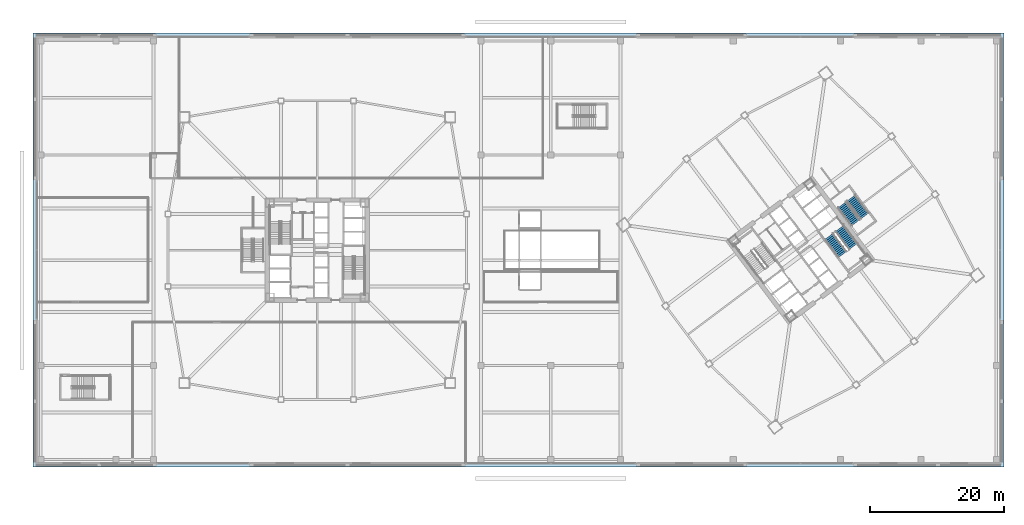
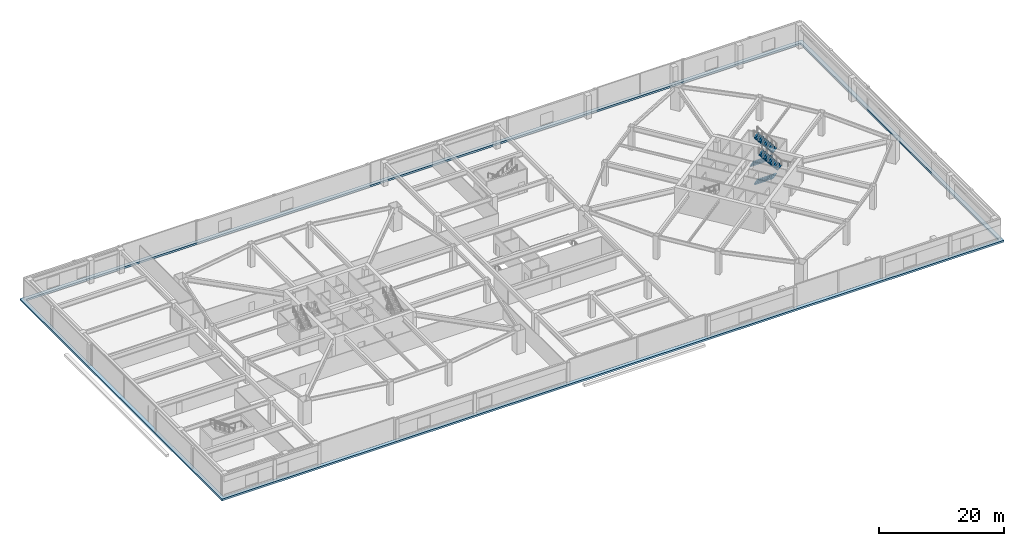
# One storey, part 35 of 44: 4 stair flights, 1 roof, 2 elements without a shape of their own.
"""IFC4 building model written with IfcOpenShell, lengths in metres."""

import ifcopenshell
import ifcopenshell.guid

model = None  # the IFC model being written
_history = None  # IfcOwnerHistory: only IFC2X3 demands one
_inside = {}  # id of a spatial element -> (the spatial element, [elements in it])
_under = {}  # id of a project, library or spatial element -> (it, [spatial elements below it])
_declared = {}  # id of a project -> (the project, [libraries it declares])
_typed = {}  # id of a type object -> (the type object, [elements of that type])
_made_of = {}  # id of a material, layer set ... -> (it, [elements and type objects made of it])


def new_model(schema):
    """Start an empty IFC model of exactly this schema.

    Asked for "IFC4X3", IfcOpenShell would pick the latest addendum, in which some entities
    have other attributes; the version numbers below select the first issue.
    IFC2X3 requires an IfcOwnerHistory on every rooted entity: one is made here for all.
    """
    global model, _history
    if schema == "IFC4X3":
        model = ifcopenshell.file(schema_version=(4, 3, 0, 0))
    else:
        model = ifcopenshell.file(schema=schema)
    _inside.clear()
    _under.clear()
    _declared.clear()
    _typed.clear()
    _made_of.clear()
    _history = None
    if model.schema == "IFC2X3":
        org = make("IfcOrganization", Name="unknown")
        user = make(
            "IfcPersonAndOrganization",
            ThePerson=make("IfcPerson", FamilyName="unknown"),
            TheOrganization=org,
        )
        app = make(
            "IfcApplication",
            ApplicationDeveloper=org,
            Version="unknown",
            ApplicationFullName="unknown",
            ApplicationIdentifier="unknown",
        )
        _history = make(
            "IfcOwnerHistory",
            OwningUser=user,
            OwningApplication=app,
            ChangeAction="ADDED",
            CreationDate=0,
        )
    return model


def make(cls, **values):
    """One entity of the class cls with the attributes given. An attribute that is None is left unset."""
    return model.create_entity(
        cls, **{name: value for name, value in values.items() if value is not None}
    )


def rooted(cls, **values):
    """An entity with a GlobalId (a new one), such as an element, a storey or a relation."""
    return make(cls, GlobalId=ifcopenshell.guid.new(), OwnerHistory=_history, **values)


def si_unit(unit_type, name, prefix=None):
    """IfcSIUnit, for example si_unit("LENGTHUNIT", "METRE", prefix="MILLI")."""
    return make("IfcSIUnit", UnitType=unit_type, Prefix=prefix, Name=name)


def assignment(units):
    """IfcUnitAssignment: the units of a project."""
    return None if units is None else make("IfcUnitAssignment", Units=units)


def point(xyz):
    """IfcCartesianPoint."""
    return None if xyz is None else make("IfcCartesianPoint", Coordinates=xyz)


def direction(xyz):
    """IfcDirection."""
    return None if xyz is None else make("IfcDirection", DirectionRatios=xyz)


def frame(location, z_axis=None, x_axis=None):
    """IfcAxis2Placement3D, a coordinate frame: its origin and axes. An axis left out is left unset."""
    return make(
        "IfcAxis2Placement3D",
        Location=point(location),
        Axis=direction(z_axis),
        RefDirection=direction(x_axis),
    )


def origin():
    """The frame at (0, 0, 0) with its axes left unset."""
    return frame((0.0, 0.0, 0.0))


def place(relative_to, where):
    """IfcLocalPlacement: puts the frame where relative to a parent placement (None: the world)."""
    return make(
        "IfcLocalPlacement", PlacementRelTo=relative_to, RelativePlacement=where
    )


def context(
    kind, dimensions, precision=None, world=None, true_north=None, identifier=None
):
    """IfcGeometricRepresentationContext, for example the 3D "Model" context."""
    return make(
        "IfcGeometricRepresentationContext",
        ContextIdentifier=identifier,
        ContextType=kind,
        CoordinateSpaceDimension=dimensions,
        Precision=precision,
        WorldCoordinateSystem=world,
        TrueNorth=true_north,
    )


def subcontext(parent, identifier, kind, view, scale=None):
    """IfcGeometricRepresentationSubContext, for example "Body" below "Model"."""
    return make(
        "IfcGeometricRepresentationSubContext",
        ContextIdentifier=identifier,
        ContextType=kind,
        ParentContext=parent,
        TargetScale=scale,
        TargetView=view,
    )


def project(units=None, contexts=None):
    """IfcProject with its units and contexts."""
    return rooted(
        "IfcProject",
        Name="project",
        RepresentationContexts=contexts,
        UnitsInContext=assignment(units),
    )


def spatial(cls, under=None, at=None, **own):
    """A site, building, storey or space (cls), placed at a placement, below another one or the project."""
    s = rooted(cls, ObjectPlacement=at, **own)
    if under is not None:
        _under.setdefault(under.id(), (under, []))[1].append(s)
    return s


def polyline(points):
    """IfcPolyline through the points."""
    return make("IfcPolyline", Points=[point(p) for p in points])


def outline(outer, holes=None, kind="AREA"):
    """IfcArbitraryClosedProfileDef: a profile drawn as a closed curve; with holes, ...WithVoids."""
    if holes is None:
        return make("IfcArbitraryClosedProfileDef", ProfileType=kind, OuterCurve=outer)
    return make(
        "IfcArbitraryProfileDefWithVoids",
        ProfileType=kind,
        OuterCurve=outer,
        InnerCurves=holes,
    )


def extrude(swept, where, along, depth):
    """IfcExtrudedAreaSolid: the profile swept, set in the frame where, extruded along a direction by depth."""
    return make(
        "IfcExtrudedAreaSolid",
        SweptArea=swept,
        Position=where,
        ExtrudedDirection=direction(along),
        Depth=depth,
    )


def shape(context_of_items, identifier, shape_type, items):
    """IfcShapeRepresentation: the items that make up one representation, for example the "Body"."""
    return make(
        "IfcShapeRepresentation",
        ContextOfItems=context_of_items,
        RepresentationIdentifier=identifier,
        RepresentationType=shape_type,
        Items=items,
    )


def material(Name=None, Category=None):
    """IfcMaterial."""
    return make("IfcMaterial", Name=Name, Category=Category)


def layer(
    of_material, thickness, ventilated=None, Name=None, Category=None, Priority=None
):
    """IfcMaterialLayer: one layer of a wall or slab, of a material (None: an air gap)."""
    return make(
        "IfcMaterialLayer",
        Material=of_material,
        LayerThickness=thickness,
        IsVentilated=ventilated,
        Name=Name,
        Category=Category,
        Priority=Priority,
    )


def layer_set(layers, Name=None):
    """IfcMaterialLayerSet."""
    return make("IfcMaterialLayerSet", MaterialLayers=layers, LayerSetName=Name)


def made_of(thing, what):
    """Note that an element or type object is made of a material, layer set ...; save() writes the relation."""
    if what is not None:
        _made_of.setdefault(what.id(), (what, []))[1].append(thing)
    return thing


def type_object(cls, material=None, **own):
    """A type object (cls), such as IfcWallType, which elements share."""
    return made_of(rooted(cls, **own), material)


def element(
    cls,
    number,
    at=None,
    inside=None,
    cuts=None,
    type_object=None,
    material=None,
    context=None,
    identifier="Body",
    shape_type=None,
    held_by="IfcProductDefinitionShape",
    body=None,
    shapes=None,
    **own,
):
    """One element of the class cls, such as IfcWall. Its Tag is "e" and its number.

    at: its placement. inside: the storey or other place that contains it. cuts: it is an
    opening in that element (IfcRelVoidsElement). A single representation is given by context,
    identifier, shape_type and body (its items); several are given by shapes. held_by: the class
    of the entity that holds the representations. save() writes the other relations.
    """
    e = rooted(cls, Tag="e%d" % number, ObjectPlacement=at, **own)
    if body is not None:
        shapes = [shape(context, identifier, shape_type, body)]
    if shapes is not None:
        e.Representation = make(held_by, Representations=shapes)
    if inside is not None:
        _inside.setdefault(inside.id(), (inside, []))[1].append(e)
    if cuts is not None:
        rooted(
            "IfcRelVoidsElement", RelatingBuildingElement=cuts, RelatedOpeningElement=e
        )
    if type_object is not None:
        _typed.setdefault(type_object.id(), (type_object, []))[1].append(e)
    return made_of(e, material)


def aggregate(whole, parts):
    """IfcRelAggregates: a whole, such as a stair, and the parts it consists of."""
    return rooted("IfcRelAggregates", RelatingObject=whole, RelatedObjects=parts)


def save(model, path):
    """Write the relations noted so far, then the file.

    IfcRelAggregates (storeys below a building ...), IfcRelContainedInSpatialStructure (elements
    in a storey), IfcRelDefinesByType, IfcRelAssociatesMaterial and IfcRelDeclares: one each for
    every whole, place, type object, material and project.
    """
    for whole, parts in _under.values():
        aggregate(whole, parts)
    for where, things in _inside.values():
        rooted(
            "IfcRelContainedInSpatialStructure",
            RelatedElements=things,
            RelatingStructure=where,
        )
    for kind, things in _typed.values():
        rooted("IfcRelDefinesByType", RelatedObjects=things, RelatingType=kind)
    for what, things in _made_of.values():
        rooted("IfcRelAssociatesMaterial", RelatedObjects=things, RelatingMaterial=what)
    for by, libraries in _declared.values():
        rooted("IfcRelDeclares", RelatingContext=by, RelatedDefinitions=libraries)
    model.write(path)


model = new_model("IFC4")

# Units and contexts
model_context = context("Model", 3, precision=1e-05, world=origin(), true_north=direction((0.0, 1.0)))
body_context = subcontext(model_context, "Body", "Model", "MODEL_VIEW")
ifc_project = project(units=[si_unit("LENGTHUNIT", "METRE"), si_unit("AREAUNIT", "SQUARE_METRE"), si_unit("VOLUMEUNIT", "CUBIC_METRE"), si_unit("PLANEANGLEUNIT", "RADIAN"), si_unit("MASSUNIT", "GRAM", prefix="KILO")], contexts=[model_context])

# Site, building, storey
site_placement = place(None, origin())
site = spatial("IfcSite", under=ifc_project, at=site_placement, CompositionType="ELEMENT")
building_placement = place(site_placement, origin())
building = spatial("IfcBuilding", under=site, at=building_placement, Name="Tashvorn Skyway Center", CompositionType="ELEMENT")
storey_placement = place(building_placement, frame((0.0, 0.0, 5.39990234375)))
storey = spatial("IfcBuildingStorey", under=building, at=storey_placement, Name="L01", CompositionType="ELEMENT", Elevation=5.39990234375)

# Stair, stair flights
ifc_material_1 = material(Name="Concrete C40/50", Category="concrete")
stair_type = type_object("IfcStairType", Name="STAIR-CORE-1500", PredefinedType="HALF_TURN_STAIR", material=ifc_material_1)
stair_1_placement = place(storey_placement, origin())
stair_1 = element("IfcStair", 1, at=stair_1_placement, inside=storey, type_object=stair_type, Name="L01 Tower 2 Exit Stair 2", PredefinedType="HALF_TURN_STAIR")
stair_flight_type = type_object("IfcStairFlightType", Name="SFLIGHT-1500", PredefinedType="STRAIGHT", material=ifc_material_1)
stair_flight_1_placement = place(storey_placement, frame((118.27197265625, 34.053955078125, 0.0), z_axis=(0.0, 0.0, 1.0), x_axis=(0.600000004945, -0.799999996291, 0.0)))
stair_flight_1 = element("IfcStairFlight", 2, at=stair_flight_1_placement, type_object=stair_flight_type, Name="ST-T2-2 flight 1", NumberOfRisers=13, NumberOfTreads=12, PredefinedType="STRAIGHT", RiserHeight=0.184615385, TreadLength=0.28, context=body_context, shape_type="SweptSolid", body=[
    extrude(outline(polyline([(0.0, 0.0), (0.0, 0.1845703125), (0.280029296875, 0.1845703125), (0.280029296875, 0.369140625), (0.56005859375, 0.369140625), (0.56005859375, 0.553955078125), (0.840087890625, 0.553955078125), (0.840087890625, 0.738525390625), (1.1201171875, 0.738525390625), (1.1201171875, 0.923095703125), (1.39990234375, 0.923095703125), (1.39990234375, 1.107666015625), (1.679931640625, 1.107666015625), (1.679931640625, 1.292236328125), (1.9599609375, 1.292236328125), (1.9599609375, 1.476806640625), (2.239990234375, 1.476806640625), (2.239990234375, 1.66162109375), (2.52001953125, 1.66162109375), (2.52001953125, 1.84619140625), (2.800048828125, 1.84619140625), (2.800048828125, 2.03076171875), (3.080078125, 2.03076171875), (3.080078125, 2.21533203125), (3.360107421875, 2.21533203125), (3.360107421875, 2.39990234375), (3.360107421875, 2.035888671875), (0.272216796875, 0.0), (0.0, 0.0)])), frame((0.0, 0.75, 0.0), z_axis=(0.0, -1.0, 0.0), x_axis=(1.0, 0.0, 0.0)), (0.0, 0.0, 1.0), 1.5),
])
stair_flight_2_placement = place(storey_placement, frame((121.8720703125, 32.553955078125, 2.400146484375), z_axis=(0.0, 0.0, 1.0), x_axis=(-0.600000004945, 0.799999996291, 0.0)))
stair_flight_2 = element("IfcStairFlight", 3, at=stair_flight_2_placement, type_object=stair_flight_type, Name="ST-T2-2 flight 2", NumberOfRisers=13, NumberOfTreads=12, PredefinedType="STRAIGHT", RiserHeight=0.184615385, TreadLength=0.28, context=body_context, shape_type="SweptSolid", body=[
    extrude(outline(polyline([(0.0, 0.0), (0.0, 0.1845703125), (0.280029296875, 0.1845703125), (0.280029296875, 0.369140625), (0.56005859375, 0.369140625), (0.56005859375, 0.553955078125), (0.840087890625, 0.553955078125), (0.840087890625, 0.738525390625), (1.1201171875, 0.738525390625), (1.1201171875, 0.923095703125), (1.39990234375, 0.923095703125), (1.39990234375, 1.107666015625), (1.679931640625, 1.107666015625), (1.679931640625, 1.292236328125), (1.9599609375, 1.292236328125), (1.9599609375, 1.476806640625), (2.239990234375, 1.476806640625), (2.239990234375, 1.66162109375), (2.52001953125, 1.66162109375), (2.52001953125, 1.84619140625), (2.800048828125, 1.84619140625), (2.800048828125, 2.03076171875), (3.080078125, 2.03076171875), (3.080078125, 2.21533203125), (3.360107421875, 2.21533203125), (3.360107421875, 2.39990234375), (3.360107421875, 2.035888671875), (0.272216796875, 0.0), (0.0, 0.0)])), frame((0.0, 0.75, 0.0), z_axis=(0.0, -1.0, 0.0), x_axis=(1.0, 0.0, 0.0)), (0.0, 0.0, 1.0), 1.5),
])
aggregate(stair_1, [stair_flight_1, stair_flight_2])

stair_2_placement = place(storey_placement, origin())
stair_2 = element("IfcStair", 4, at=stair_2_placement, inside=storey, type_object=stair_type, Name="L01 Tower 2 Exit Stair 3", PredefinedType="HALF_TURN_STAIR")
stair_flight_3_placement = place(storey_placement, frame((120.216064453125, 38.761962890625, 0.0), z_axis=(0.0, 0.0, 1.0), x_axis=(0.600000004945, -0.799999996291, 0.0)))
stair_flight_3 = element("IfcStairFlight", 5, at=stair_flight_3_placement, type_object=stair_flight_type, Name="ST-T2-3 flight 1", NumberOfRisers=13, NumberOfTreads=12, PredefinedType="STRAIGHT", RiserHeight=0.184615385, TreadLength=0.28, context=body_context, shape_type="SweptSolid", body=[
    extrude(outline(polyline([(0.0, 0.0), (0.0, 0.1845703125), (0.280029296875, 0.1845703125), (0.280029296875, 0.369140625), (0.56005859375, 0.369140625), (0.56005859375, 0.553955078125), (0.840087890625, 0.553955078125), (0.840087890625, 0.738525390625), (1.1201171875, 0.738525390625), (1.1201171875, 0.923095703125), (1.39990234375, 0.923095703125), (1.39990234375, 1.107666015625), (1.679931640625, 1.107666015625), (1.679931640625, 1.292236328125), (1.9599609375, 1.292236328125), (1.9599609375, 1.476806640625), (2.239990234375, 1.476806640625), (2.239990234375, 1.66162109375), (2.52001953125, 1.66162109375), (2.52001953125, 1.84619140625), (2.800048828125, 1.84619140625), (2.800048828125, 2.03076171875), (3.080078125, 2.03076171875), (3.080078125, 2.21533203125), (3.360107421875, 2.21533203125), (3.360107421875, 2.39990234375), (3.360107421875, 2.035888671875), (0.272216796875, 0.0), (0.0, 0.0)])), frame((0.0, 0.75, 0.0), z_axis=(0.0, -1.0, 0.0), x_axis=(1.0, 0.0, 0.0)), (0.0, 0.0, 1.0), 1.5),
])
stair_flight_4_placement = place(storey_placement, frame((123.592041015625, 37.093994140625, 2.400146484375), z_axis=(0.0, 0.0, 1.0), x_axis=(-0.600000004945, 0.799999996291, 0.0)))
stair_flight_4 = element("IfcStairFlight", 6, at=stair_flight_4_placement, type_object=stair_flight_type, Name="ST-T2-3 flight 2", NumberOfRisers=13, NumberOfTreads=12, PredefinedType="STRAIGHT", RiserHeight=0.184615385, TreadLength=0.28, context=body_context, shape_type="SweptSolid", body=[
    extrude(outline(polyline([(0.0, 0.0), (0.0, 0.1845703125), (0.280029296875, 0.1845703125), (0.280029296875, 0.369140625), (0.56005859375, 0.369140625), (0.56005859375, 0.553955078125), (0.840087890625, 0.553955078125), (0.840087890625, 0.738525390625), (1.1201171875, 0.738525390625), (1.1201171875, 0.923095703125), (1.39990234375, 0.923095703125), (1.39990234375, 1.107666015625), (1.679931640625, 1.107666015625), (1.679931640625, 1.292236328125), (1.9599609375, 1.292236328125), (1.9599609375, 1.476806640625), (2.239990234375, 1.476806640625), (2.239990234375, 1.66162109375), (2.52001953125, 1.66162109375), (2.52001953125, 1.84619140625), (2.800048828125, 1.84619140625), (2.800048828125, 2.03076171875), (3.080078125, 2.03076171875), (3.080078125, 2.21533203125), (3.360107421875, 2.21533203125), (3.360107421875, 2.39990234375), (3.360107421875, 2.035888671875), (0.272216796875, 0.0), (0.0, 0.0)])), frame((0.0, 0.75, 0.0), z_axis=(0.0, -1.0, 0.0), x_axis=(1.0, 0.0, 0.0)), (0.0, 0.0, 1.0), 1.5),
])
aggregate(stair_2, [stair_flight_3, stair_flight_4])

# Roof
ifc_material_2 = material(Name="Architectural glazed Mojave terracotta roof and cornice system", Category="masonry")
ifc_layer = layer(ifc_material_2, 0.360107421875)
ifc_layer_set = layer_set([ifc_layer], Name="Architectural glazed Mojave terracotta roof and cornice system")
roof_type = type_object("IfcRoofType", Name="ROOF-PM-CORNICE", PredefinedType="GABLE_ROOF", material=ifc_layer_set)
roof_placement = place(storey_placement, origin())
element("IfcRoof", 7, at=roof_placement, inside=storey, type_object=roof_type, Name="Postmodern Terracotta Podium Cornice Frieze 1", PredefinedType="GABLE_ROOF", context=body_context, shape_type="SweptSolid", body=[
    extrude(outline(polyline([(-0.35009765625, -0.35009765625), (144.35009765625, -0.35009765625), (144.35009765625, 64.35009765625), (-0.35009765625, 64.35009765625), (-0.35009765625, -0.35009765625)]), holes=[polyline([(0.300048828125, 0.300048828125), (143.699951171875, 0.300048828125), (143.699951171875, 63.699951171875), (0.300048828125, 63.699951171875), (0.300048828125, 0.300048828125)])]), origin(), (0.0, 0.0, 1.0), 0.360107421875),
])

save(model, "model.ifc")
